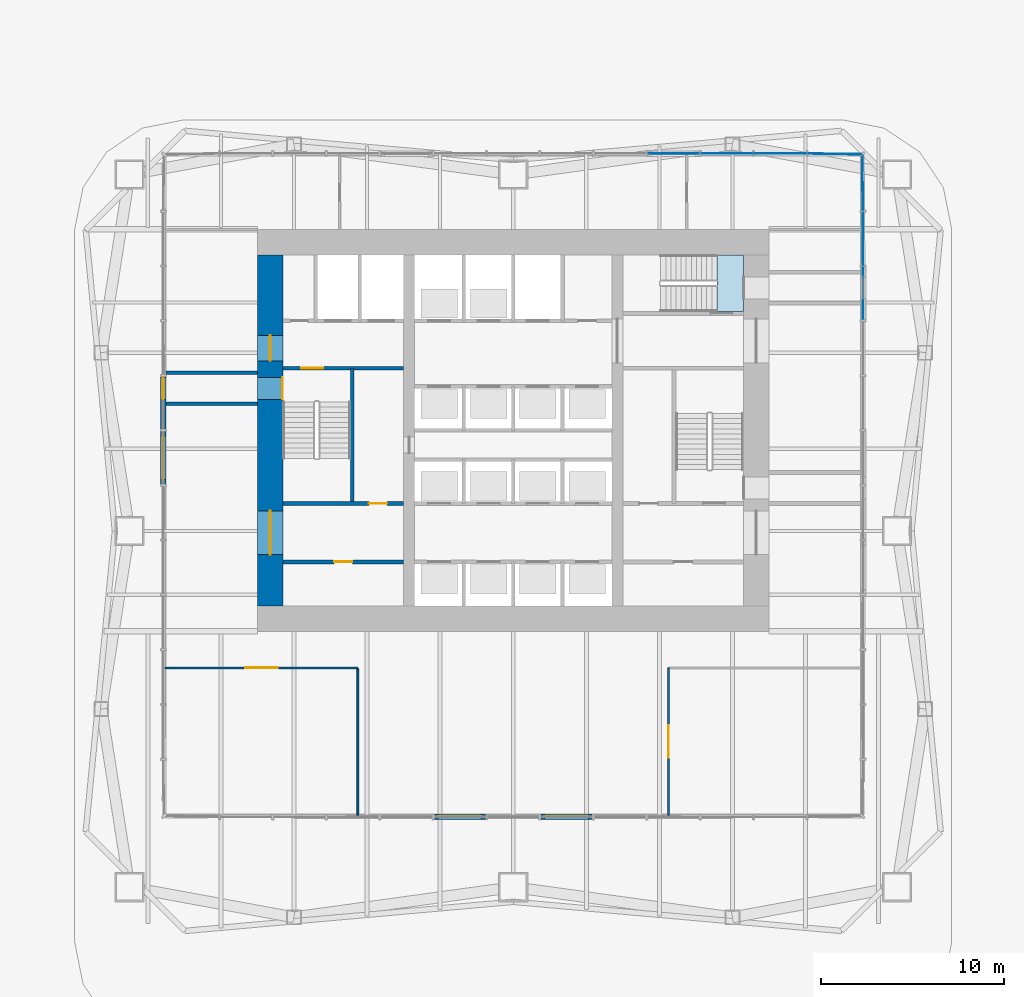
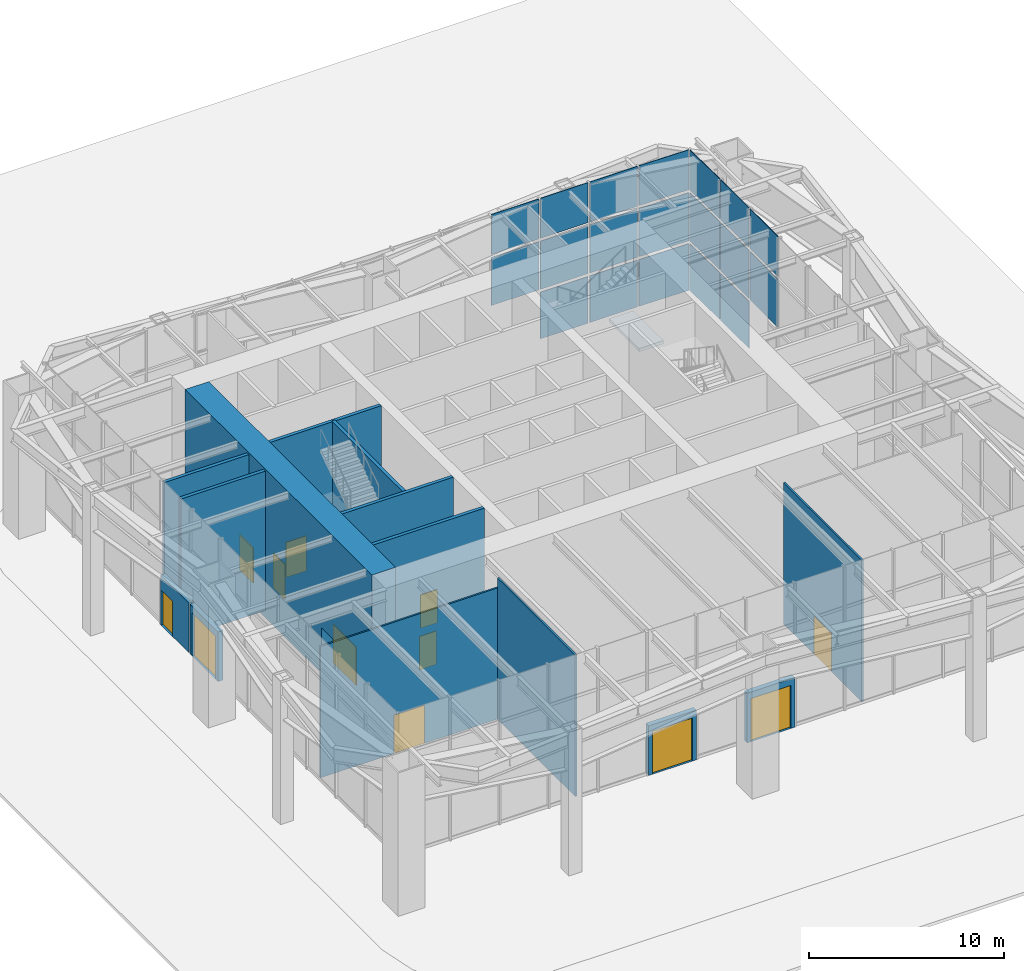
# One storey, part 7 of 13: 19 plates, 14 walls, 12 doors, 1 slab, 12 openings, 3 elements without a shape of their own.
"""IFC4 building model written with IfcOpenShell, lengths in metres."""

from ifc_helpers import new_model, si_unit, direction, frame, frame_2d, origin, origin_2d, place, context, subcontext, project, spatial, polyline, rectangle, outline, extrude, material, layer, layer_set, type_object, element, fill, aggregate, save


model = new_model("IFC4")

# Units and contexts
model_context = context("Model", 3, precision=1e-05, world=origin(), true_north=direction((0.0, 1.0)))
body_context = subcontext(model_context, "Body", "Model", "MODEL_VIEW")
ifc_project = project(units=[si_unit("LENGTHUNIT", "METRE"), si_unit("AREAUNIT", "SQUARE_METRE"), si_unit("VOLUMEUNIT", "CUBIC_METRE"), si_unit("PLANEANGLEUNIT", "RADIAN"), si_unit("MASSUNIT", "GRAM", prefix="KILO")], contexts=[model_context])

# Site, building, storey
site_placement = place(None, origin())
site = spatial("IfcSite", under=ifc_project, at=site_placement, CompositionType="ELEMENT")
building_placement = place(site_placement, origin())
building = spatial("IfcBuilding", under=site, at=building_placement, Name="Verdant Reach Tower", CompositionType="ELEMENT")
storey_placement = place(building_placement, origin())
storey = spatial("IfcBuildingStorey", under=building, at=storey_placement, Name="G", CompositionType="ELEMENT", Elevation=0.0)

# Stair, slab
ifc_material_1 = material(Name="Concrete C40/50", Category="concrete")
stair_type = type_object("IfcStairType", Name="CO-STAIR", PredefinedType="HALF_TURN_STAIR", material=ifc_material_1)
stair_placement = place(storey_placement, origin())
stair = element("IfcStair", 1, at=stair_placement, inside=storey, type_object=stair_type, Name="G Exit stair 3", PredefinedType="HALF_TURN_STAIR")
ifc_layer_1 = layer(ifc_material_1, 0.199951171875)
ifc_layer_set_1 = layer_set([ifc_layer_1], Name="CO-STAIR-LANDING")
slab_type = type_object("IfcSlabType", Name="CO-STAIR-LANDING", PredefinedType="LANDING", material=ifc_layer_set_1)
slab_placement = place(storey_placement, frame((0.0, 0.0, 4.300048828125)))
slab = element("IfcSlab", 2, at=slab_placement, type_object=slab_type, Name="ST-3 landing 2", PredefinedType="LANDING", context=body_context, shape_type="SweptSolid", body=[
    extrude(outline(polyline([(12.60009765625, 37.60009765625), (11.14990234375, 37.60009765625), (11.14990234375, 34.5), (12.60009765625, 34.5), (12.60009765625, 37.60009765625)])), origin(), (0.0, 0.0, 1.0), 0.199951171875),
])
aggregate(stair, [slab])

# Curtain wall, plates
ifc_material_2 = material(Name="Anodised aluminium", Category="aluminium")
curtain_wall_type = type_object("IfcCurtainWallType", Name="EN-CW SYSTEM LOBBY", PredefinedType="NOTDEFINED", material=ifc_material_2)
curtain_wall_1_placement = place(storey_placement, origin())
curtain_wall_1 = element("IfcCurtainWall", 3, at=curtain_wall_1_placement, inside=storey, type_object=curtain_wall_type, Name="Curtain wall east, G", PredefinedType="NOTDEFINED")
ifc_material_3 = material(Name="Clear laminated glass", Category="glass")
ifc_layer_2 = layer(ifc_material_3, 0.035888671875)
ifc_layer_set_2 = layer_set([ifc_layer_2], Name="EN-PANEL CLEAR")
plate_type = type_object("IfcPlateType", Name="EN-PANEL CLEAR", PredefinedType="CURTAIN_PANEL", material=ifc_layer_set_2)
plate_1_placement = place(storey_placement, frame((19.14990234375, 35.5, 3.2900390625), z_axis=(0.0, 0.0, 1.0), x_axis=(0.0, 1.0, 0.0)))
plate_1 = element("IfcPlate", 4, at=plate_1_placement, type_object=plate_type, Name="Glass panel east face part 1 10.2, G", PredefinedType="CURTAIN_PANEL", context=body_context, shape_type="SweptSolid", body=[
    extrude(rectangle(XDim=2.904052734375, YDim=0.035888671875, at=origin_2d()), origin(), (0.0, 0.0, 1.0), 3.02001953125),
])
plate_2_placement = place(storey_placement, frame((19.14990234375, 35.5, 6.490234375), z_axis=(0.0, 0.0, 1.0), x_axis=(0.0, 1.0, 0.0)))
plate_2 = element("IfcPlate", 5, at=plate_2_placement, type_object=plate_type, Name="Glass panel east face part 1 10.3, G", PredefinedType="CURTAIN_PANEL", context=body_context, shape_type="SweptSolid", body=[
    extrude(rectangle(XDim=2.904052734375, YDim=0.035888671875, at=origin_2d()), origin(), (0.0, 0.0, 1.0), 2.510009765625),
])
plate_3_placement = place(storey_placement, frame((19.14990234375, 38.5, 0.18017578125), z_axis=(0.0, 0.0, 1.0), x_axis=(0.0, 1.0, 0.0)))
plate_3 = element("IfcPlate", 6, at=plate_3_placement, type_object=plate_type, Name="Glass panel east face part 1 11.1, G", PredefinedType="CURTAIN_PANEL", context=body_context, shape_type="SweptSolid", body=[
    extrude(rectangle(XDim=2.904052734375, YDim=0.035888671875, at=origin_2d()), origin(), (0.0, 0.0, 1.0), 2.929931640625),
])
plate_4_placement = place(storey_placement, frame((19.14990234375, 38.5, 3.2900390625), z_axis=(0.0, 0.0, 1.0), x_axis=(0.0, 1.0, 0.0)))
plate_4 = element("IfcPlate", 7, at=plate_4_placement, type_object=plate_type, Name="Glass panel east face part 1 11.2, G", PredefinedType="CURTAIN_PANEL", context=body_context, shape_type="SweptSolid", body=[
    extrude(rectangle(XDim=2.904052734375, YDim=0.035888671875, at=origin_2d()), origin(), (0.0, 0.0, 1.0), 3.02001953125),
])
plate_5_placement = place(storey_placement, frame((19.14990234375, 38.5, 6.490234375), z_axis=(0.0, 0.0, 1.0), x_axis=(0.0, 1.0, 0.0)))
plate_5 = element("IfcPlate", 8, at=plate_5_placement, type_object=plate_type, Name="Glass panel east face part 1 11.3, G", PredefinedType="CURTAIN_PANEL", context=body_context, shape_type="SweptSolid", body=[
    extrude(rectangle(XDim=2.904052734375, YDim=0.035888671875, at=origin_2d()), origin(), (0.0, 0.0, 1.0), 2.510009765625),
])
plate_6_placement = place(storey_placement, frame((19.1279296875, 41.552978515625, 0.18017578125), z_axis=(0.0, 0.0, 1.0), x_axis=(-0.014143159969, 0.999899980511, 0.0)))
plate_6 = element("IfcPlate", 9, at=plate_6_placement, type_object=plate_type, Name="Glass panel east face part 1 12.1, G", PredefinedType="CURTAIN_PANEL", context=body_context, shape_type="SweptSolid", body=[
    extrude(rectangle(XDim=3.010498046875, YDim=0.035888671875, at=origin_2d()), origin(), (0.0, 0.0, 1.0), 2.929931640625),
])
plate_7_placement = place(storey_placement, frame((19.1279296875, 41.552978515625, 3.2900390625), z_axis=(0.0, 0.0, 1.0), x_axis=(-0.014143159969, 0.999899980511, 0.0)))
plate_7 = element("IfcPlate", 10, at=plate_7_placement, type_object=plate_type, Name="Glass panel east face part 1 12.2, G", PredefinedType="CURTAIN_PANEL", context=body_context, shape_type="SweptSolid", body=[
    extrude(rectangle(XDim=3.010498046875, YDim=0.035888671875, at=origin_2d()), origin(), (0.0, 0.0, 1.0), 3.02001953125),
])
plate_8_placement = place(storey_placement, frame((19.1279296875, 41.552978515625, 6.490234375), z_axis=(0.0, 0.0, 1.0), x_axis=(-0.014143159969, 0.999899980511, 0.0)))
plate_8 = element("IfcPlate", 11, at=plate_8_placement, type_object=plate_type, Name="Glass panel east face part 1 12.3, G", PredefinedType="CURTAIN_PANEL", context=body_context, shape_type="SweptSolid", body=[
    extrude(rectangle(XDim=3.010498046875, YDim=0.035888671875, at=origin_2d()), origin(), (0.0, 0.0, 1.0), 2.510009765625),
])
aggregate(curtain_wall_1, [plate_1, plate_2, plate_3, plate_4, plate_5, plate_6, plate_7, plate_8])

curtain_wall_2_placement = place(storey_placement, origin())
curtain_wall_2 = element("IfcCurtainWall", 12, at=curtain_wall_2_placement, inside=storey, type_object=curtain_wall_type, Name="Curtain wall north, G", PredefinedType="NOTDEFINED")
plate_9_placement = place(storey_placement, frame((17.591552734375, 43.1279296875, 0.18017578125), z_axis=(0.0, 0.0, 1.0), x_axis=(-0.999894836966, 0.014502241536, 0.0)))
plate_9 = element("IfcPlate", 13, at=plate_9_placement, type_object=plate_type, Name="Glass panel north face part 1 1.1, G", PredefinedType="CURTAIN_PANEL", context=body_context, shape_type="SweptSolid", body=[
    extrude(rectangle(XDim=2.933349609375, YDim=0.035888671875, at=origin_2d()), origin(), (0.0, 0.0, 1.0), 2.929931640625),
])
plate_10_placement = place(storey_placement, frame((17.591552734375, 43.1279296875, 3.2900390625), z_axis=(0.0, 0.0, 1.0), x_axis=(-0.999894836966, 0.014502241536, 0.0)))
plate_10 = element("IfcPlate", 14, at=plate_10_placement, type_object=plate_type, Name="Glass panel north face part 1 1.2, G", PredefinedType="CURTAIN_PANEL", context=body_context, shape_type="SweptSolid", body=[
    extrude(rectangle(XDim=2.933349609375, YDim=0.035888671875, at=origin_2d()), origin(), (0.0, 0.0, 1.0), 3.02001953125),
])
plate_11_placement = place(storey_placement, frame((17.591552734375, 43.1279296875, 6.490234375), z_axis=(0.0, 0.0, 1.0), x_axis=(-0.999894836966, 0.014502241536, 0.0)))
plate_11 = element("IfcPlate", 15, at=plate_11_placement, type_object=plate_type, Name="Glass panel north face part 1 1.3, G", PredefinedType="CURTAIN_PANEL", context=body_context, shape_type="SweptSolid", body=[
    extrude(rectangle(XDim=2.933349609375, YDim=0.035888671875, at=origin_2d()), origin(), (0.0, 0.0, 1.0), 2.510009765625),
])
plate_12_placement = place(storey_placement, frame((14.615478515625, 43.14990234375, 0.18017578125), z_axis=(0.0, 0.0, 1.0), x_axis=(-1.0, 0.0, 0.0)))
plate_12 = element("IfcPlate", 16, at=plate_12_placement, type_object=plate_type, Name="Glass panel north face part 1 2.1, G", PredefinedType="CURTAIN_PANEL", context=body_context, shape_type="SweptSolid", body=[
    extrude(rectangle(XDim=2.8271484375, YDim=0.035888671875, at=origin_2d()), origin(), (0.0, 0.0, 1.0), 2.929931640625),
])
plate_13_placement = place(storey_placement, frame((14.615478515625, 43.14990234375, 3.2900390625), z_axis=(0.0, 0.0, 1.0), x_axis=(-1.0, 0.0, 0.0)))
plate_13 = element("IfcPlate", 17, at=plate_13_placement, type_object=plate_type, Name="Glass panel north face part 1 2.2, G", PredefinedType="CURTAIN_PANEL", context=body_context, shape_type="SweptSolid", body=[
    extrude(rectangle(XDim=2.8271484375, YDim=0.035888671875, at=origin_2d()), origin(), (0.0, 0.0, 1.0), 3.02001953125),
])
plate_14_placement = place(storey_placement, frame((14.615478515625, 43.14990234375, 6.490234375), z_axis=(0.0, 0.0, 1.0), x_axis=(-1.0, 0.0, 0.0)))
plate_14 = element("IfcPlate", 18, at=plate_14_placement, type_object=plate_type, Name="Glass panel north face part 1 2.3, G", PredefinedType="CURTAIN_PANEL", context=body_context, shape_type="SweptSolid", body=[
    extrude(rectangle(XDim=2.8271484375, YDim=0.035888671875, at=origin_2d()), origin(), (0.0, 0.0, 1.0), 2.510009765625),
])
plate_15_placement = place(storey_placement, frame((11.6923828125, 43.14990234375, 0.18017578125), z_axis=(0.0, 0.0, 1.0), x_axis=(-1.0, 0.0, 0.0)))
plate_15 = element("IfcPlate", 19, at=plate_15_placement, type_object=plate_type, Name="Glass panel north face part 1 3.1, G", PredefinedType="CURTAIN_PANEL", context=body_context, shape_type="SweptSolid", body=[
    extrude(rectangle(XDim=2.8271484375, YDim=0.035888671875, at=origin_2d()), origin(), (0.0, 0.0, 1.0), 2.929931640625),
])
plate_16_placement = place(storey_placement, frame((11.6923828125, 43.14990234375, 3.2900390625), z_axis=(0.0, 0.0, 1.0), x_axis=(-1.0, 0.0, 0.0)))
plate_16 = element("IfcPlate", 20, at=plate_16_placement, type_object=plate_type, Name="Glass panel north face part 1 3.2, G", PredefinedType="CURTAIN_PANEL", context=body_context, shape_type="SweptSolid", body=[
    extrude(rectangle(XDim=2.8271484375, YDim=0.035888671875, at=origin_2d()), origin(), (0.0, 0.0, 1.0), 3.02001953125),
])
plate_17_placement = place(storey_placement, frame((11.6923828125, 43.14990234375, 6.490234375), z_axis=(0.0, 0.0, 1.0), x_axis=(-1.0, 0.0, 0.0)))
plate_17 = element("IfcPlate", 21, at=plate_17_placement, type_object=plate_type, Name="Glass panel north face part 1 3.3, G", PredefinedType="CURTAIN_PANEL", context=body_context, shape_type="SweptSolid", body=[
    extrude(rectangle(XDim=2.8271484375, YDim=0.035888671875, at=origin_2d()), origin(), (0.0, 0.0, 1.0), 2.510009765625),
])
plate_18_placement = place(storey_placement, frame((8.769287109375, 43.14990234375, 3.2900390625), z_axis=(0.0, 0.0, 1.0), x_axis=(-1.0, 0.0, 0.0)))
plate_18 = element("IfcPlate", 22, at=plate_18_placement, type_object=plate_type, Name="Glass panel north face part 1 4.2, G", PredefinedType="CURTAIN_PANEL", context=body_context, shape_type="SweptSolid", body=[
    extrude(rectangle(XDim=2.8271484375, YDim=0.035888671875, at=origin_2d()), origin(), (0.0, 0.0, 1.0), 3.02001953125),
])
plate_19_placement = place(storey_placement, frame((8.769287109375, 43.14990234375, 6.490234375), z_axis=(0.0, 0.0, 1.0), x_axis=(-1.0, 0.0, 0.0)))
plate_19 = element("IfcPlate", 23, at=plate_19_placement, type_object=plate_type, Name="Glass panel north face part 1 4.3, G", PredefinedType="CURTAIN_PANEL", context=body_context, shape_type="SweptSolid", body=[
    extrude(rectangle(XDim=2.8271484375, YDim=0.035888671875, at=origin_2d()), origin(), (0.0, 0.0, 1.0), 2.510009765625),
])
aggregate(curtain_wall_2, [plate_9, plate_10, plate_11, plate_12, plate_13, plate_14, plate_15, plate_16, plate_17, plate_18, plate_19])

# Walls
ifc_layer_3 = layer(ifc_material_1, 0.199951171875)
ifc_layer_set_3 = layer_set([ifc_layer_3], Name="CO-WALL-PASSAGE")
wall_type_1 = type_object("IfcWallType", Name="CO-WALL-PASSAGE", PredefinedType="PARTITIONING", material=ifc_layer_set_3)
for number, where, z_axis, x_axis, name in (
    (24, (-14.0, 29.449951171875, 0.0), (0.0, 0.0, 1.0), (-1.0, 0.0, 0.0), "Exit passage wall, G"),
    (25, (-14.0, 31.14990234375, 0.0), (0.0, 0.0, 1.0), (-1.0, 0.0, 0.0), "Exit passage wall, G"),
):
    element("IfcWall", number, at=place(storey_placement, frame(where, z_axis=z_axis, x_axis=x_axis)), inside=storey, type_object=wall_type_1, Name=name, PredefinedType="PARTITIONING", context=body_context, shape_type="SweptSolid", body=[
        extrude(rectangle(XDim=5.0, YDim=0.199951171875, at=frame_2d((2.5, 0.0))), origin(), (0.0, 0.0, 1.0), 8.75),
    ])

# Wall, opening, door
ifc_material_4 = material(Name="Gypsum board on steel studs", Category="steel")
ifc_layer_4 = layer(ifc_material_4, 0.199951171875)
ifc_layer_set_4 = layer_set([ifc_layer_4], Name="CO-WALL-ROOM")
wall_type_2 = type_object("IfcWallType", Name="CO-WALL-ROOM", PredefinedType="PARTITIONING", material=ifc_layer_set_4)
wall_1_placement = place(storey_placement, frame((-12.60009765625, 20.800048828125, 0.0), z_axis=(0.0, 0.0, 1.0), x_axis=(1.0, 0.0, 0.0)))
wall_1 = element("IfcWall", 26, at=wall_1_placement, inside=storey, type_object=wall_type_2, Name="Core partition, G", PredefinedType="PARTITIONING", context=body_context, shape_type="SweptSolid", body=[
    extrude(rectangle(XDim=6.60009765625, YDim=0.199951171875, at=frame_2d((3.300048828125, 0.0))), origin(), (0.0, 0.0, 1.0), 8.8701171875),
])
opening_1_placement = place(wall_1_placement, frame((2.800048828125, 0.0, 0.0)))
opening_1 = element("IfcOpeningElement", 27, at=opening_1_placement, cuts=wall_1, Name="Opening CD", PredefinedType="OPENING", context=body_context, shape_type="SweptSolid", body=[
    extrude(rectangle(XDim=1.0, YDim=2.10009765625, at=frame_2d((0.5, 1.050048828125))), frame((0.0, 0.10986328125, 0.0), z_axis=(0.0, -1.0, 0.0), x_axis=(1.0, 0.0, 0.0)), (0.0, 0.0, 1.0), 0.219970703125),
])
ifc_material_5 = material(Name="Timber", Category="wood")
door_type_1 = type_object("IfcDoorType", Name="CO-DOOR-ROOM", OperationType="NOTDEFINED", PredefinedType="DOOR", material=ifc_material_5)
door_1_placement = place(opening_1_placement, origin())
door_1 = element("IfcDoor", 28, at=door_1_placement, inside=storey, type_object=door_type_1, Name="Core room door, G", OperationType="SINGLE_SWING_LEFT", OverallHeight=2.10009765625, OverallWidth=1.0, PredefinedType="DOOR", context=body_context, shape_type="SweptSolid", body=[
    extrude(rectangle(XDim=1.0, YDim=2.10009765625, at=frame_2d((0.5, 1.050048828125))), frame((0.0, 0.02490234375, 0.0), z_axis=(0.0, -1.0, 0.0), x_axis=(1.0, 0.0, 0.0)), (0.0, 0.0, 1.0), 0.050048828125),
])
fill(opening_1, door_1)

ifc_layer_5 = layer(ifc_material_1, 0.199951171875)
ifc_layer_set_5 = layer_set([ifc_layer_5], Name="CO-WALL-STAIR")
wall_type_3 = type_object("IfcWallType", Name="CO-WALL-STAIR", PredefinedType="PARTITIONING", material=ifc_layer_set_5)
wall_2_placement = place(storey_placement, frame((-12.60009765625, 24.0, 0.0), z_axis=(0.0, 0.0, 1.0), x_axis=(1.0, 0.0, 0.0)))
wall_2 = element("IfcWall", 29, at=wall_2_placement, inside=storey, type_object=wall_type_3, Name="Stair enclosure wall, G", PredefinedType="PARTITIONING", context=body_context, shape_type="SweptSolid", body=[
    extrude(rectangle(XDim=6.60009765625, YDim=0.199951171875, at=frame_2d((3.300048828125, 0.0))), origin(), (0.0, 0.0, 1.0), 8.8701171875),
])
opening_2_placement = place(wall_2_placement, frame((4.699951171875, 0.0, 0.0)))
opening_2 = element("IfcOpeningElement", 30, at=opening_2_placement, cuts=wall_2, Name="Opening CD", PredefinedType="OPENING", context=body_context, shape_type="SweptSolid", body=[
    extrude(rectangle(XDim=1.0, YDim=2.10009765625, at=frame_2d((0.5, 1.050048828125))), frame((0.0, 0.10986328125, 0.0), z_axis=(0.0, -1.0, 0.0), x_axis=(1.0, 0.0, 0.0)), (0.0, 0.0, 1.0), 0.219970703125),
])
door_2_placement = place(opening_2_placement, origin())
door_2 = element("IfcDoor", 31, at=door_2_placement, inside=storey, type_object=door_type_1, Name="Core room door, G", OperationType="SINGLE_SWING_RIGHT", OverallHeight=2.10009765625, OverallWidth=1.0, PredefinedType="DOOR", context=body_context, shape_type="SweptSolid", body=[
    extrude(rectangle(XDim=1.0, YDim=2.10009765625, at=frame_2d((0.5, 1.050048828125))), frame((0.0, 0.02490234375, 0.0), z_axis=(0.0, -1.0, 0.0), x_axis=(1.0, 0.0, 0.0)), (0.0, 0.0, 1.0), 0.050048828125),
])
fill(opening_2, door_2)

wall_3_placement = place(storey_placement, frame((-12.60009765625, 31.39990234375, 0.0), z_axis=(0.0, 0.0, 1.0), x_axis=(1.0, 0.0, 0.0)))
wall_3 = element("IfcWall", 32, at=wall_3_placement, inside=storey, type_object=wall_type_3, Name="Stair enclosure wall, G", PredefinedType="PARTITIONING", context=body_context, shape_type="SweptSolid", body=[
    extrude(rectangle(XDim=6.60009765625, YDim=0.199951171875, at=frame_2d((3.300048828125, 0.0))), origin(), (0.0, 0.0, 1.0), 8.8701171875),
])
opening_3_placement = place(wall_3_placement, frame((1.0, 0.0, 0.0)))
opening_3 = element("IfcOpeningElement", 33, at=opening_3_placement, cuts=wall_3, Name="Opening SD", PredefinedType="OPENING", context=body_context, shape_type="SweptSolid", body=[
    extrude(rectangle(XDim=1.199951171875, YDim=2.199951171875, at=frame_2d((0.60009765625, 1.10009765625))), frame((0.0, 0.10986328125, 0.0), z_axis=(0.0, -1.0, 0.0), x_axis=(1.0, 0.0, 0.0)), (0.0, 0.0, 1.0), 0.219970703125),
])
ifc_material_6 = material(Name="Steel", Category="steel")
door_type_2 = type_object("IfcDoorType", Name="CO-DOOR-STAIR", OperationType="NOTDEFINED", PredefinedType="DOOR", material=ifc_material_6)
door_3_placement = place(opening_3_placement, origin())
door_3 = element("IfcDoor", 34, at=door_3_placement, inside=storey, type_object=door_type_2, Name="Stair door, G", OperationType="SINGLE_SWING_RIGHT", OverallHeight=2.199951171875, OverallWidth=1.199951171875, PredefinedType="DOOR", context=body_context, shape_type="SweptSolid", body=[
    extrude(rectangle(XDim=1.199951171875, YDim=2.199951171875, at=frame_2d((0.60009765625, 1.10009765625))), frame((0.0, 0.02490234375, 0.0), z_axis=(0.0, -1.0, 0.0), x_axis=(1.0, 0.0, 0.0)), (0.0, 0.0, 1.0), 0.050048828125),
])
fill(opening_3, door_3)

# Wall
wall_4_placement = place(storey_placement, frame((-8.800048828125, 24.0, 0.0), z_axis=(0.0, 0.0, 1.0), x_axis=(0.0, 1.0, 0.0)))
element("IfcWall", 35, at=wall_4_placement, inside=storey, type_object=wall_type_3, Name="Stair enclosure wall, G", PredefinedType="PARTITIONING", context=body_context, shape_type="SweptSolid", body=[
    extrude(rectangle(XDim=7.39990234375, YDim=0.199951171875, at=frame_2d((3.699951171875, 0.0))), origin(), (0.0, 0.0, 1.0), 8.8701171875),
])

# Wall, opening, door
ifc_material_7 = material(Name="Glazed aluminium entrance screen", Category="aluminium")
ifc_layer_6 = layer(ifc_material_7, 0.300048828125)
ifc_layer_set_6 = layer_set([ifc_layer_6], Name="EN-ENTRANCE WALL")
wall_type_4 = type_object("IfcWallType", Name="EN-ENTRANCE WALL", PredefinedType="SOLIDWALL", material=ifc_layer_set_6)
wall_5_placement = place(storey_placement, frame((-4.334716796875, 6.85009765625, 0.0), z_axis=(0.0, 0.0, 1.0), x_axis=(1.0, 0.0, 0.0)))
wall_5 = element("IfcWall", 36, at=wall_5_placement, inside=storey, type_object=wall_type_4, Name="Entrance screen, south face part 1 bay 6", PredefinedType="SOLIDWALL", context=body_context, shape_type="SweptSolid", body=[
    extrude(rectangle(XDim=2.8232421875, YDim=0.300048828125, at=frame_2d((1.41162109375, 0.0))), origin(), (0.0, 0.0, 1.0), 3.110107421875),
])
opening_4_placement = place(wall_5_placement, frame((0.21142578125, 0.0, 0.0)))
opening_4 = element("IfcOpeningElement", 37, at=opening_4_placement, cuts=wall_5, Name="Opening ED1", PredefinedType="OPENING", context=body_context, shape_type="SweptSolid", body=[
    extrude(rectangle(XDim=2.39990234375, YDim=2.699951171875, at=frame_2d((1.199951171875, 1.35009765625))), frame((0.0, 0.159912109375, 0.0), z_axis=(0.0, -1.0, 0.0), x_axis=(1.0, 0.0, 0.0)), (0.0, 0.0, 1.0), 0.320068359375),
])
ifc_material_8 = material(Name="Aluminium framed glazed door", Category="aluminium")
door_type_3 = type_object("IfcDoorType", Name="EN-DOOR ENTRANCE", OperationType="DOUBLE_DOOR_SINGLE_SWING", PredefinedType="DOOR", material=ifc_material_8)
door_4_placement = place(opening_4_placement, origin())
door_4 = element("IfcDoor", 38, at=door_4_placement, inside=storey, type_object=door_type_3, Name="Entrance door, south face part 1 bay 6", OperationType="DOUBLE_DOOR_SINGLE_SWING", OverallHeight=2.699951171875, OverallWidth=2.39990234375, PredefinedType="DOOR", context=body_context, shape_type="SweptSolid", body=[
    extrude(rectangle(XDim=2.39990234375, YDim=2.699951171875, at=frame_2d((1.199951171875, 1.35009765625))), frame((0.0, 0.02490234375, 0.0), z_axis=(0.0, -1.0, 0.0), x_axis=(1.0, 0.0, 0.0)), (0.0, 0.0, 1.0), 0.050048828125),
])
fill(opening_4, door_4)

wall_6_placement = place(storey_placement, frame((1.511474609375, 6.85009765625, 0.0), z_axis=(0.0, 0.0, 1.0), x_axis=(1.0, 0.0, 0.0)))
wall_6 = element("IfcWall", 39, at=wall_6_placement, inside=storey, type_object=wall_type_4, Name="Entrance screen, south face part 1 bay 8", PredefinedType="SOLIDWALL", context=body_context, shape_type="SweptSolid", body=[
    extrude(rectangle(XDim=2.8232421875, YDim=0.300048828125, at=frame_2d((1.41162109375, 0.0))), origin(), (0.0, 0.0, 1.0), 3.110107421875),
])
opening_5_placement = place(wall_6_placement, frame((0.21142578125, 0.0, 0.0)))
opening_5 = element("IfcOpeningElement", 40, at=opening_5_placement, cuts=wall_6, Name="Opening ED1", PredefinedType="OPENING", context=body_context, shape_type="SweptSolid", body=[
    extrude(rectangle(XDim=2.39990234375, YDim=2.699951171875, at=frame_2d((1.199951171875, 1.35009765625))), frame((0.0, 0.159912109375, 0.0), z_axis=(0.0, -1.0, 0.0), x_axis=(1.0, 0.0, 0.0)), (0.0, 0.0, 1.0), 0.320068359375),
])
door_5_placement = place(opening_5_placement, origin())
door_5 = element("IfcDoor", 41, at=door_5_placement, inside=storey, type_object=door_type_3, Name="Entrance door, south face part 1 bay 8", OperationType="DOUBLE_DOOR_SINGLE_SWING", OverallHeight=2.699951171875, OverallWidth=2.39990234375, PredefinedType="DOOR", context=body_context, shape_type="SweptSolid", body=[
    extrude(rectangle(XDim=2.39990234375, YDim=2.699951171875, at=frame_2d((1.199951171875, 1.35009765625))), frame((0.0, 0.02490234375, 0.0), z_axis=(0.0, -1.0, 0.0), x_axis=(1.0, 0.0, 0.0)), (0.0, 0.0, 1.0), 0.050048828125),
])
fill(opening_5, door_5)

wall_7_placement = place(storey_placement, frame((-19.14990234375, 27.949951171875, 0.0), z_axis=(0.0, 0.0, 1.0), x_axis=(0.0, -1.0, 0.0)))
wall_7 = element("IfcWall", 42, at=wall_7_placement, inside=storey, type_object=wall_type_4, Name="Entrance screen, west face part 1 bay 6", PredefinedType="SOLIDWALL", context=body_context, shape_type="SweptSolid", body=[
    extrude(rectangle(XDim=2.89990234375, YDim=0.300048828125, at=frame_2d((1.449951171875, 0.0))), origin(), (0.0, 0.0, 1.0), 3.110107421875),
])
opening_6_placement = place(wall_7_placement, frame((0.25, 0.0, 0.0)))
opening_6 = element("IfcOpeningElement", 43, at=opening_6_placement, cuts=wall_7, Name="Opening ED1", PredefinedType="OPENING", context=body_context, shape_type="SweptSolid", body=[
    extrude(rectangle(XDim=2.39990234375, YDim=2.699951171875, at=frame_2d((1.199951171875, 1.35009765625))), frame((0.0, 0.159912109375, 0.0), z_axis=(0.0, -1.0, 0.0), x_axis=(1.0, 0.0, 0.0)), (0.0, 0.0, 1.0), 0.320068359375),
])
door_6_placement = place(opening_6_placement, origin())
door_6 = element("IfcDoor", 44, at=door_6_placement, inside=storey, type_object=door_type_3, Name="Entrance door, west face part 1 bay 6", OperationType="DOUBLE_DOOR_SINGLE_SWING", OverallHeight=2.699951171875, OverallWidth=2.39990234375, PredefinedType="DOOR", context=body_context, shape_type="SweptSolid", body=[
    extrude(rectangle(XDim=2.39990234375, YDim=2.699951171875, at=frame_2d((1.199951171875, 1.35009765625))), frame((0.0, 0.02490234375, 0.0), z_axis=(0.0, -1.0, 0.0), x_axis=(1.0, 0.0, 0.0)), (0.0, 0.0, 1.0), 0.050048828125),
])
fill(opening_6, door_6)

wall_8_placement = place(storey_placement, frame((-19.14990234375, 30.949951171875, 0.0), z_axis=(0.0, 0.0, 1.0), x_axis=(0.0, -1.0, 0.0)))
wall_8 = element("IfcWall", 45, at=wall_8_placement, inside=storey, type_object=wall_type_4, Name="Exit screen ST-1, west face part 1 bays 5 to 5", PredefinedType="SOLIDWALL", context=body_context, shape_type="SweptSolid", body=[
    extrude(rectangle(XDim=2.89990234375, YDim=0.300048828125, at=frame_2d((1.449951171875, 0.0))), origin(), (0.0, 0.0, 1.0), 3.110107421875),
])
opening_7_placement = place(wall_8_placement, frame((0.050048828125, 0.0, 0.0)))
opening_7 = element("IfcOpeningElement", 46, at=opening_7_placement, cuts=wall_8, Name="Opening ED2", PredefinedType="OPENING", context=body_context, shape_type="SweptSolid", body=[
    extrude(rectangle(XDim=1.199951171875, YDim=2.199951171875, at=frame_2d((0.60009765625, 1.10009765625))), frame((0.0, 0.159912109375, 0.0), z_axis=(0.0, -1.0, 0.0), x_axis=(1.0, 0.0, 0.0)), (0.0, 0.0, 1.0), 0.320068359375),
])
door_type_4 = type_object("IfcDoorType", Name="EN-DOOR EXIT", OperationType="NOTDEFINED", PredefinedType="DOOR", material=ifc_material_8)
door_7_placement = place(opening_7_placement, origin())
door_7 = element("IfcDoor", 47, at=door_7_placement, inside=storey, type_object=door_type_4, Name="Final exit door ST-1", OperationType="SINGLE_SWING_LEFT", OverallHeight=2.199951171875, OverallWidth=1.199951171875, PredefinedType="DOOR", context=body_context, shape_type="SweptSolid", body=[
    extrude(rectangle(XDim=1.199951171875, YDim=2.199951171875, at=frame_2d((0.60009765625, 1.10009765625))), frame((0.0, 0.02490234375, 0.0), z_axis=(0.0, -1.0, 0.0), x_axis=(1.0, 0.0, 0.0)), (0.0, 0.0, 1.0), 0.050048828125),
])
fill(opening_7, door_7)

# Wall, openings, doors
ifc_material_9 = material(Name="Concrete C70/85", Category="concrete")
ifc_layer_7 = layer(ifc_material_9, 1.39990234375)
ifc_layer_set_7 = layer_set([ifc_layer_7], Name="ST-CORE-WALL-1400")
wall_type_5 = type_object("IfcWallType", Name="ST-CORE-WALL-1400", PredefinedType="SHEAR", material=ifc_layer_set_7)
wall_9_placement = place(storey_placement, frame((-13.300048828125, 18.39990234375, -0.449951171875), z_axis=(0.0, 0.0, 1.0), x_axis=(0.0, 1.0, 0.0)))
wall_9 = element("IfcWall", 48, at=wall_9_placement, inside=storey, type_object=wall_type_5, Name="Core wall W, G", PredefinedType="SHEAR", context=body_context, shape_type="SweptSolid", body=[
    extrude(rectangle(XDim=19.2001953125, YDim=1.39990234375, at=frame_2d((9.60009765625, 0.0))), origin(), (0.0, 0.0, 1.0), 9.320068359375),
])
opening_8_placement = place(wall_9_placement, frame((2.800048828125, 0.0, 0.449951171875)))
opening_8 = element("IfcOpeningElement", 49, at=opening_8_placement, cuts=wall_9, Name="Opening LB", PredefinedType="OPENING", context=body_context, shape_type="SweptSolid", body=[
    extrude(rectangle(XDim=2.39990234375, YDim=2.39990234375, at=frame_2d((1.199951171875, 1.199951171875))), frame((0.0, 0.7099609375, 0.0), z_axis=(0.0, -1.0, 0.0), x_axis=(1.0, 0.0, 0.0)), (0.0, 0.0, 1.0), 1.419921875),
])
opening_9_placement = place(wall_9_placement, frame((13.39990234375, 0.0, 0.449951171875)))
opening_9 = element("IfcOpeningElement", 50, at=opening_9_placement, cuts=wall_9, Name="Opening FL", PredefinedType="OPENING", context=body_context, shape_type="SweptSolid", body=[
    extrude(rectangle(XDim=1.39990234375, YDim=2.199951171875, at=frame_2d((0.699951171875, 1.10009765625))), frame((0.0, 0.7099609375, 0.0), z_axis=(0.0, -1.0, 0.0), x_axis=(1.0, 0.0, 0.0)), (0.0, 0.0, 1.0), 1.419921875),
])
opening_10_placement = place(wall_9_placement, frame((11.300048828125, 0.0, 0.449951171875)))
opening_10 = element("IfcOpeningElement", 51, at=opening_10_placement, cuts=wall_9, Name="Opening SD", PredefinedType="OPENING", context=body_context, shape_type="SweptSolid", body=[
    extrude(rectangle(XDim=1.199951171875, YDim=2.199951171875, at=frame_2d((0.60009765625, 1.10009765625))), frame((0.0, 0.7099609375, 0.0), z_axis=(0.0, -1.0, 0.0), x_axis=(1.0, 0.0, 0.0)), (0.0, 0.0, 1.0), 1.419921875),
])
door_type_5 = type_object("IfcDoorType", Name="CO-DOOR-FFL", OperationType="NOTDEFINED", PredefinedType="DOOR", material=ifc_material_6)
door_8_placement = place(opening_9_placement, origin())
door_8 = element("IfcDoor", 52, at=door_8_placement, inside=storey, type_object=door_type_5, Name="Core entrance door, G", OperationType="SINGLE_SWING_RIGHT", OverallHeight=2.199951171875, OverallWidth=1.39990234375, PredefinedType="DOOR", context=body_context, shape_type="SweptSolid", body=[
    extrude(rectangle(XDim=1.39990234375, YDim=2.199951171875, at=frame_2d((0.699951171875, 1.10009765625))), frame((0.0, 0.02490234375, 0.0), z_axis=(0.0, -1.0, 0.0), x_axis=(1.0, 0.0, 0.0)), (0.0, 0.0, 1.0), 0.050048828125),
])
fill(opening_9, door_8)
ifc_material_10 = material(Name="Glass and steel", Category="steel")
door_type_6 = type_object("IfcDoorType", Name="CO-DOOR-LOBBY", OperationType="DOUBLE_DOOR_SINGLE_SWING", PredefinedType="DOOR", material=ifc_material_10)
door_9_placement = place(opening_8_placement, origin())
door_9 = element("IfcDoor", 53, at=door_9_placement, inside=storey, type_object=door_type_6, Name="Core entrance door, G", OperationType="DOUBLE_DOOR_SINGLE_SWING", OverallHeight=2.39990234375, OverallWidth=2.39990234375, PredefinedType="DOOR", context=body_context, shape_type="SweptSolid", body=[
    extrude(rectangle(XDim=2.39990234375, YDim=2.39990234375, at=frame_2d((1.199951171875, 1.199951171875))), frame((0.0, 0.02490234375, 0.0), z_axis=(0.0, -1.0, 0.0), x_axis=(1.0, 0.0, 0.0)), (0.0, 0.0, 1.0), 0.050048828125),
])
fill(opening_8, door_9)
door_10_placement = place(opening_10_placement, origin())
door_10 = element("IfcDoor", 54, at=door_10_placement, inside=storey, type_object=door_type_2, Name="Core entrance door, G", OperationType="SINGLE_SWING_LEFT", OverallHeight=2.199951171875, OverallWidth=1.199951171875, PredefinedType="DOOR", context=body_context, shape_type="SweptSolid", body=[
    extrude(rectangle(XDim=1.199951171875, YDim=2.199951171875, at=frame_2d((0.60009765625, 1.10009765625))), frame((0.0, -0.64990234375, 0.0), z_axis=(0.0, -1.0, 0.0), x_axis=(1.0, 0.0, 0.0)), (0.0, 0.0, 1.0), 0.050048828125),
])
fill(opening_10, door_10)

# Wall, opening, door
ifc_layer_8 = layer(ifc_material_4, 0.10009765625)
ifc_layer_set_8 = layer_set([ifc_layer_8], Name="SV-W1 Partition 100")
wall_type_6 = type_object("IfcWallType", Name="SV-W1 Partition 100", PredefinedType="PARTITIONING", material=ifc_layer_set_8)
wall_10_placement = place(storey_placement, frame((-19.050048828125, 15.0, 0.0), z_axis=(0.0, 0.0, 1.0), x_axis=(1.0, 0.0, 0.0)))
wall_10 = element("IfcWall", 55, at=wall_10_placement, inside=storey, type_object=wall_type_6, Name="Partition G.01", PredefinedType="PARTITIONING", context=body_context, shape_type="SweptSolid", body=[
    extrude(rectangle(XDim=10.550048828125, YDim=0.10009765625, at=frame_2d((5.27490234375, 0.0))), origin(), (0.0, 0.0, 1.0), 8.239990234375),
])
opening_11_placement = place(wall_10_placement, frame((4.375, 0.0, 0.0)))
opening_11 = element("IfcOpeningElement", 56, at=opening_11_placement, cuts=wall_10, Name="Opening SD5", PredefinedType="OPENING", context=body_context, shape_type="SweptSolid", body=[
    extrude(rectangle(XDim=1.800048828125, YDim=2.39990234375, at=frame_2d((0.89990234375, 1.199951171875))), frame((0.0, 0.06005859375, 0.0), z_axis=(0.0, -1.0, 0.0), x_axis=(1.0, 0.0, 0.0)), (0.0, 0.0, 1.0), 0.1201171875),
])
ifc_material_11 = material(Name="Glass and anodised aluminium", Category="aluminium")
door_type_7 = type_object("IfcDoorType", Name="SV-D5 Glazed double door 1800x2400", OperationType="DOUBLE_DOOR_SINGLE_SWING", PredefinedType="DOOR", material=ifc_material_11)
door_11_placement = place(opening_11_placement, origin())
door_11 = element("IfcDoor", 57, at=door_11_placement, inside=storey, type_object=door_type_7, Name="Door G-001", OperationType="DOUBLE_DOOR_SINGLE_SWING", OverallHeight=2.39990234375, OverallWidth=1.800048828125, PredefinedType="DOOR", context=body_context, shape_type="SweptSolid", body=[
    extrude(rectangle(XDim=1.800048828125, YDim=2.39990234375, at=frame_2d((0.89990234375, 1.199951171875))), frame((0.0, 0.02490234375, 0.0), z_axis=(0.0, -1.0, 0.0), x_axis=(1.0, 0.0, 0.0)), (0.0, 0.0, 1.0), 0.050048828125),
])
fill(opening_11, door_11)

# Wall
wall_11_placement = place(storey_placement, frame((-8.5, 14.949951171875, 0.0), z_axis=(0.0, 0.0, 1.0), x_axis=(0.0, -1.0, 0.0)))
element("IfcWall", 58, at=wall_11_placement, inside=storey, type_object=wall_type_6, Name="Partition G.02", PredefinedType="PARTITIONING", context=body_context, shape_type="SweptSolid", body=[
    extrude(rectangle(XDim=8.0, YDim=0.10009765625, at=frame_2d((4.0, 0.0))), origin(), (0.0, 0.0, 1.0), 8.8701171875),
])

# Wall, opening, door
wall_12_placement = place(storey_placement, frame((8.5, 6.949951171875, 0.0), z_axis=(0.0, 0.0, 1.0), x_axis=(0.0, 1.0, 0.0)))
wall_12 = element("IfcWall", 59, at=wall_12_placement, inside=storey, type_object=wall_type_6, Name="Partition G.03", PredefinedType="PARTITIONING", context=body_context, shape_type="SweptSolid", body=[
    extrude(rectangle(XDim=8.050048828125, YDim=0.10009765625, at=frame_2d((4.02490234375, 0.0))), origin(), (0.0, 0.0, 1.0), 8.8701171875),
])
opening_12_placement = place(wall_12_placement, frame((3.125, 0.0, 0.0)))
opening_12 = element("IfcOpeningElement", 60, at=opening_12_placement, cuts=wall_12, Name="Opening SD5", PredefinedType="OPENING", context=body_context, shape_type="SweptSolid", body=[
    extrude(rectangle(XDim=1.800048828125, YDim=2.39990234375, at=frame_2d((0.89990234375, 1.199951171875))), frame((0.0, 0.06005859375, 0.0), z_axis=(0.0, -1.0, 0.0), x_axis=(1.0, 0.0, 0.0)), (0.0, 0.0, 1.0), 0.1201171875),
])
door_12_placement = place(opening_12_placement, origin())
door_12 = element("IfcDoor", 61, at=door_12_placement, inside=storey, type_object=door_type_7, Name="Door G-002", OperationType="DOUBLE_DOOR_SINGLE_SWING", OverallHeight=2.39990234375, OverallWidth=1.800048828125, PredefinedType="DOOR", context=body_context, shape_type="SweptSolid", body=[
    extrude(rectangle(XDim=1.800048828125, YDim=2.39990234375, at=frame_2d((0.89990234375, 1.199951171875))), frame((0.0, 0.02490234375, 0.0), z_axis=(0.0, -1.0, 0.0), x_axis=(1.0, 0.0, 0.0)), (0.0, 0.0, 1.0), 0.050048828125),
])
fill(opening_12, door_12)

save(model, "model.ifc")
